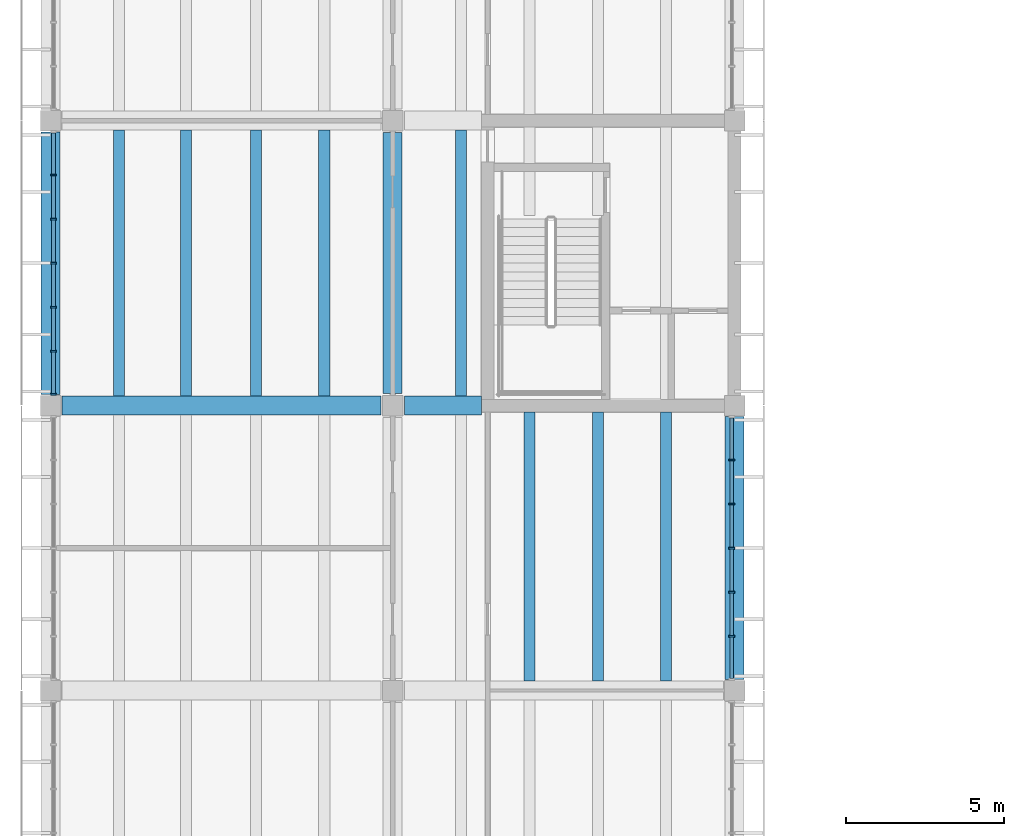
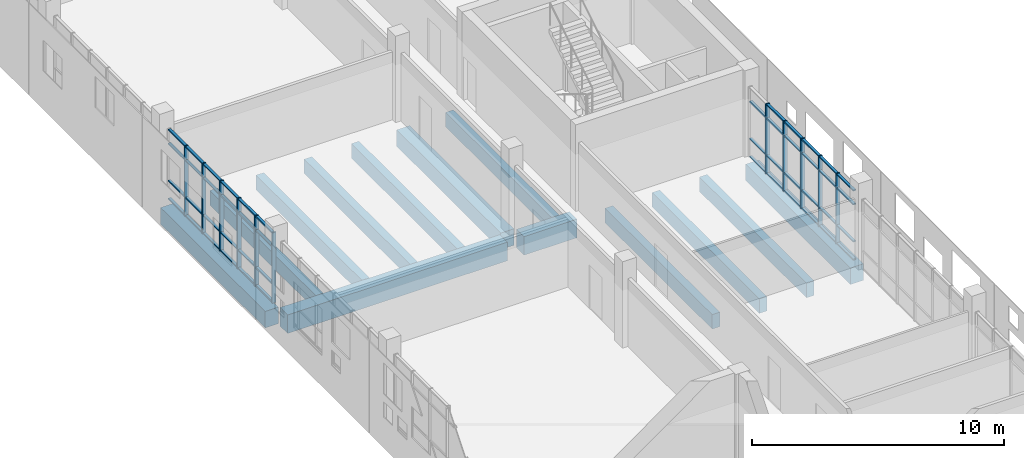
# One storey, part 14 of 92: 58 members, 13 beams, 2 elements without a shape of their own.
"""IFC4 building model written with IfcOpenShell, lengths in metres."""

import ifcopenshell
import ifcopenshell.guid

model = None  # the IFC model being written
_history = None  # IfcOwnerHistory: only IFC2X3 demands one
_inside = {}  # id of a spatial element -> (the spatial element, [elements in it])
_under = {}  # id of a project, library or spatial element -> (it, [spatial elements below it])
_declared = {}  # id of a project -> (the project, [libraries it declares])
_typed = {}  # id of a type object -> (the type object, [elements of that type])
_made_of = {}  # id of a material, layer set ... -> (it, [elements and type objects made of it])


def new_model(schema):
    """Start an empty IFC model of exactly this schema.

    Asked for "IFC4X3", IfcOpenShell would pick the latest addendum, in which some entities
    have other attributes; the version numbers below select the first issue.
    IFC2X3 requires an IfcOwnerHistory on every rooted entity: one is made here for all.
    """
    global model, _history
    if schema == "IFC4X3":
        model = ifcopenshell.file(schema_version=(4, 3, 0, 0))
    else:
        model = ifcopenshell.file(schema=schema)
    _inside.clear()
    _under.clear()
    _declared.clear()
    _typed.clear()
    _made_of.clear()
    _history = None
    if model.schema == "IFC2X3":
        org = make("IfcOrganization", Name="unknown")
        user = make(
            "IfcPersonAndOrganization",
            ThePerson=make("IfcPerson", FamilyName="unknown"),
            TheOrganization=org,
        )
        app = make(
            "IfcApplication",
            ApplicationDeveloper=org,
            Version="unknown",
            ApplicationFullName="unknown",
            ApplicationIdentifier="unknown",
        )
        _history = make(
            "IfcOwnerHistory",
            OwningUser=user,
            OwningApplication=app,
            ChangeAction="ADDED",
            CreationDate=0,
        )
    return model


def make(cls, **values):
    """One entity of the class cls with the attributes given. An attribute that is None is left unset."""
    return model.create_entity(
        cls, **{name: value for name, value in values.items() if value is not None}
    )


def rooted(cls, **values):
    """An entity with a GlobalId (a new one), such as an element, a storey or a relation."""
    return make(cls, GlobalId=ifcopenshell.guid.new(), OwnerHistory=_history, **values)


def si_unit(unit_type, name, prefix=None):
    """IfcSIUnit, for example si_unit("LENGTHUNIT", "METRE", prefix="MILLI")."""
    return make("IfcSIUnit", UnitType=unit_type, Prefix=prefix, Name=name)


def assignment(units):
    """IfcUnitAssignment: the units of a project."""
    return None if units is None else make("IfcUnitAssignment", Units=units)


def point(xyz):
    """IfcCartesianPoint."""
    return None if xyz is None else make("IfcCartesianPoint", Coordinates=xyz)


def direction(xyz):
    """IfcDirection."""
    return None if xyz is None else make("IfcDirection", DirectionRatios=xyz)


def frame(location, z_axis=None, x_axis=None):
    """IfcAxis2Placement3D, a coordinate frame: its origin and axes. An axis left out is left unset."""
    return make(
        "IfcAxis2Placement3D",
        Location=point(location),
        Axis=direction(z_axis),
        RefDirection=direction(x_axis),
    )


def frame_2d(location, x_axis=None):
    """IfcAxis2Placement2D, a coordinate frame in the plane: its origin and x axis."""
    return make(
        "IfcAxis2Placement2D", Location=point(location), RefDirection=direction(x_axis)
    )


def origin():
    """The frame at (0, 0, 0) with its axes left unset."""
    return frame((0.0, 0.0, 0.0))


def origin_2d():
    """The frame at (0, 0) in the plane with its x axis left unset."""
    return frame_2d((0.0, 0.0))


def place(relative_to, where):
    """IfcLocalPlacement: puts the frame where relative to a parent placement (None: the world)."""
    return make(
        "IfcLocalPlacement", PlacementRelTo=relative_to, RelativePlacement=where
    )


def context(
    kind, dimensions, precision=None, world=None, true_north=None, identifier=None
):
    """IfcGeometricRepresentationContext, for example the 3D "Model" context."""
    return make(
        "IfcGeometricRepresentationContext",
        ContextIdentifier=identifier,
        ContextType=kind,
        CoordinateSpaceDimension=dimensions,
        Precision=precision,
        WorldCoordinateSystem=world,
        TrueNorth=true_north,
    )


def subcontext(parent, identifier, kind, view, scale=None):
    """IfcGeometricRepresentationSubContext, for example "Body" below "Model"."""
    return make(
        "IfcGeometricRepresentationSubContext",
        ContextIdentifier=identifier,
        ContextType=kind,
        ParentContext=parent,
        TargetScale=scale,
        TargetView=view,
    )


def project(units=None, contexts=None):
    """IfcProject with its units and contexts."""
    return rooted(
        "IfcProject",
        Name="project",
        RepresentationContexts=contexts,
        UnitsInContext=assignment(units),
    )


def spatial(cls, under=None, at=None, **own):
    """A site, building, storey or space (cls), placed at a placement, below another one or the project."""
    s = rooted(cls, ObjectPlacement=at, **own)
    if under is not None:
        _under.setdefault(under.id(), (under, []))[1].append(s)
    return s


def profile(cls, at=None, kind="AREA", **sizes):
    """A parametric profile (cls). Its sizes go by their IFC names, for example OverallWidth=200.0."""
    return make(cls, ProfileType=kind, Position=at, **sizes)


def rectangle(**sizes):
    """IfcRectangleProfileDef."""
    return profile("IfcRectangleProfileDef", **sizes)


def extrude(swept, where, along, depth):
    """IfcExtrudedAreaSolid: the profile swept, set in the frame where, extruded along a direction by depth."""
    return make(
        "IfcExtrudedAreaSolid",
        SweptArea=swept,
        Position=where,
        ExtrudedDirection=direction(along),
        Depth=depth,
    )


def shape(context_of_items, identifier, shape_type, items):
    """IfcShapeRepresentation: the items that make up one representation, for example the "Body"."""
    return make(
        "IfcShapeRepresentation",
        ContextOfItems=context_of_items,
        RepresentationIdentifier=identifier,
        RepresentationType=shape_type,
        Items=items,
    )


def material(Name=None, Category=None):
    """IfcMaterial."""
    return make("IfcMaterial", Name=Name, Category=Category)


def material_profile(
    of_material, cross_section, Name=None, Category=None, Priority=None
):
    """IfcMaterialProfile: a cross section and its material."""
    return make(
        "IfcMaterialProfile",
        Name=Name,
        Material=of_material,
        Profile=cross_section,
        Priority=Priority,
        Category=Category,
    )


def profile_set(profiles, Name=None, composite=None):
    """IfcMaterialProfileSet."""
    return make(
        "IfcMaterialProfileSet",
        Name=Name,
        MaterialProfiles=profiles,
        CompositeProfile=composite,
    )


def made_of(thing, what):
    """Note that an element or type object is made of a material, layer set ...; save() writes the relation."""
    if what is not None:
        _made_of.setdefault(what.id(), (what, []))[1].append(thing)
    return thing


def type_object(cls, material=None, **own):
    """A type object (cls), such as IfcWallType, which elements share."""
    return made_of(rooted(cls, **own), material)


def element(
    cls,
    number,
    at=None,
    inside=None,
    cuts=None,
    type_object=None,
    material=None,
    context=None,
    identifier="Body",
    shape_type=None,
    held_by="IfcProductDefinitionShape",
    body=None,
    shapes=None,
    **own,
):
    """One element of the class cls, such as IfcWall. Its Tag is "e" and its number.

    at: its placement. inside: the storey or other place that contains it. cuts: it is an
    opening in that element (IfcRelVoidsElement). A single representation is given by context,
    identifier, shape_type and body (its items); several are given by shapes. held_by: the class
    of the entity that holds the representations. save() writes the other relations.
    """
    e = rooted(cls, Tag="e%d" % number, ObjectPlacement=at, **own)
    if body is not None:
        shapes = [shape(context, identifier, shape_type, body)]
    if shapes is not None:
        e.Representation = make(held_by, Representations=shapes)
    if inside is not None:
        _inside.setdefault(inside.id(), (inside, []))[1].append(e)
    if cuts is not None:
        rooted(
            "IfcRelVoidsElement", RelatingBuildingElement=cuts, RelatedOpeningElement=e
        )
    if type_object is not None:
        _typed.setdefault(type_object.id(), (type_object, []))[1].append(e)
    return made_of(e, material)


def aggregate(whole, parts):
    """IfcRelAggregates: a whole, such as a stair, and the parts it consists of."""
    return rooted("IfcRelAggregates", RelatingObject=whole, RelatedObjects=parts)


def save(model, path):
    """Write the relations noted so far, then the file.

    IfcRelAggregates (storeys below a building ...), IfcRelContainedInSpatialStructure (elements
    in a storey), IfcRelDefinesByType, IfcRelAssociatesMaterial and IfcRelDeclares: one each for
    every whole, place, type object, material and project.
    """
    for whole, parts in _under.values():
        aggregate(whole, parts)
    for where, things in _inside.values():
        rooted(
            "IfcRelContainedInSpatialStructure",
            RelatedElements=things,
            RelatingStructure=where,
        )
    for kind, things in _typed.values():
        rooted("IfcRelDefinesByType", RelatedObjects=things, RelatingType=kind)
    for what, things in _made_of.values():
        rooted("IfcRelAssociatesMaterial", RelatedObjects=things, RelatingMaterial=what)
    for by, libraries in _declared.values():
        rooted("IfcRelDeclares", RelatingContext=by, RelatedDefinitions=libraries)
    model.write(path)


model = new_model("IFC4")

# Units and contexts
model_context = context("Model", 3, precision=1e-05, world=origin(), true_north=direction((0.0, 1.0)))
body_context = subcontext(model_context, "Body", "Model", "MODEL_VIEW")
ifc_project = project(units=[si_unit("LENGTHUNIT", "METRE"), si_unit("AREAUNIT", "SQUARE_METRE"), si_unit("VOLUMEUNIT", "CUBIC_METRE"), si_unit("PLANEANGLEUNIT", "RADIAN"), si_unit("MASSUNIT", "GRAM", prefix="KILO")], contexts=[model_context])

# Site, building, storey
site_placement = place(None, origin())
site = spatial("IfcSite", under=ifc_project, at=site_placement, CompositionType="ELEMENT")
building_placement = place(site_placement, origin())
building = spatial("IfcBuilding", under=site, at=building_placement, Name="Merrow Basin Faculty of Sciences", CompositionType="ELEMENT")
storey_placement = place(building_placement, frame((0.0, 0.0, 4.5)))
storey = spatial("IfcBuildingStorey", under=building, at=storey_placement, Name="L01", CompositionType="ELEMENT", Elevation=4.5)

# Curtain wall, members
ifc_material_1 = material(Name="Aluminium alloy 6063", Category="aluminium")
curtain_wall_type = type_object("IfcCurtainWallType", Name="Bar unitised curtain wall 180", PredefinedType="NOTDEFINED", material=ifc_material_1)
curtain_wall_1_placement = place(storey_placement, origin())
curtain_wall_1 = element("IfcCurtainWall", 1, at=curtain_wall_1_placement, inside=storey, type_object=curtain_wall_type, Name="West curtain wall L01 3", PredefinedType="NOTDEFINED")
ifc_material_2 = material(Name="Aluminium alloy 6063", Category="aluminium")
ifc_material_profile_1 = material_profile(ifc_material_2, rectangle(XDim=0.179931640625, YDim=0.06005859375, at=origin_2d()))
ifc_profile_set_1 = profile_set([ifc_material_profile_1], Name="Aluminium alloy 6063")
member_type_1 = type_object("IfcMemberType", Name="Aluminium mullion 60x180", PredefinedType="MULLION", material=ifc_profile_set_1)
member_1_placement = place(storey_placement, frame((0.090087890625, 88.35498046875, 0.0), z_axis=(0.0, 0.0, 1.0), x_axis=(-1.0, 0.0, 0.0)))
member_1 = element("IfcMember", 2, at=member_1_placement, type_object=member_type_1, Name="CW1 mullion 1", PredefinedType="MULLION", context=body_context, shape_type="SweptSolid", body=[
    extrude(rectangle(XDim=0.179931640625, YDim=0.06005859375, at=origin_2d()), origin(), (0.0, 0.0, 1.0), 3.39990234375),
])
member_2_placement = place(storey_placement, frame((0.090087890625, 89.716552734375, 0.0), z_axis=(0.0, 0.0, 1.0), x_axis=(-1.0, 0.0, 0.0)))
member_2 = element("IfcMember", 3, at=member_2_placement, type_object=member_type_1, Name="CW1 mullion 2", PredefinedType="MULLION", context=body_context, shape_type="SweptSolid", body=[
    extrude(rectangle(XDim=0.179931640625, YDim=0.06005859375, at=origin_2d()), origin(), (0.0, 0.0, 1.0), 3.39990234375),
])
member_3_placement = place(storey_placement, frame((0.090087890625, 91.1083984375, 0.0), z_axis=(0.0, 0.0, 1.0), x_axis=(-1.0, 0.0, 0.0)))
member_3 = element("IfcMember", 4, at=member_3_placement, type_object=member_type_1, Name="CW1 mullion 3", PredefinedType="MULLION", context=body_context, shape_type="SweptSolid", body=[
    extrude(rectangle(XDim=0.179931640625, YDim=0.06005859375, at=origin_2d()), origin(), (0.0, 0.0, 1.0), 3.39990234375),
])
member_4_placement = place(storey_placement, frame((0.090087890625, 92.5, 0.0), z_axis=(0.0, 0.0, 1.0), x_axis=(-1.0, 0.0, 0.0)))
member_4 = element("IfcMember", 5, at=member_4_placement, type_object=member_type_1, Name="CW1 mullion 4", PredefinedType="MULLION", context=body_context, shape_type="SweptSolid", body=[
    extrude(rectangle(XDim=0.179931640625, YDim=0.06005859375, at=origin_2d()), origin(), (0.0, 0.0, 1.0), 3.39990234375),
])
member_5_placement = place(storey_placement, frame((0.090087890625, 93.8916015625, 0.0), z_axis=(0.0, 0.0, 1.0), x_axis=(-1.0, 0.0, 0.0)))
member_5 = element("IfcMember", 6, at=member_5_placement, type_object=member_type_1, Name="CW1 mullion 5", PredefinedType="MULLION", context=body_context, shape_type="SweptSolid", body=[
    extrude(rectangle(XDim=0.179931640625, YDim=0.06005859375, at=origin_2d()), origin(), (0.0, 0.0, 1.0), 3.39990234375),
])
member_6_placement = place(storey_placement, frame((0.090087890625, 95.283447265625, 0.0), z_axis=(0.0, 0.0, 1.0), x_axis=(-1.0, 0.0, 0.0)))
member_6 = element("IfcMember", 7, at=member_6_placement, type_object=member_type_1, Name="CW1 mullion 6", PredefinedType="MULLION", context=body_context, shape_type="SweptSolid", body=[
    extrude(rectangle(XDim=0.179931640625, YDim=0.06005859375, at=origin_2d()), origin(), (0.0, 0.0, 1.0), 3.39990234375),
])

curtain_wall_2_placement = place(storey_placement, origin())
curtain_wall_2 = element("IfcCurtainWall", 8, at=curtain_wall_2_placement, inside=storey, type_object=curtain_wall_type, Name="East curtain wall L01 3", PredefinedType="NOTDEFINED")
member_7_placement = place(storey_placement, frame((21.510009765625, 80.716552734375, 0.0), z_axis=(0.0, 0.0, 1.0), x_axis=(-1.0, 0.0, 0.0)))
member_7 = element("IfcMember", 9, at=member_7_placement, type_object=member_type_1, Name="CW1 mullion 2", PredefinedType="MULLION", context=body_context, shape_type="SweptSolid", body=[
    extrude(rectangle(XDim=0.179931640625, YDim=0.06005859375, at=origin_2d()), origin(), (0.0, 0.0, 1.0), 3.39990234375),
])
member_8_placement = place(storey_placement, frame((21.510009765625, 82.1083984375, 0.0), z_axis=(0.0, 0.0, 1.0), x_axis=(-1.0, 0.0, 0.0)))
member_8 = element("IfcMember", 10, at=member_8_placement, type_object=member_type_1, Name="CW1 mullion 3", PredefinedType="MULLION", context=body_context, shape_type="SweptSolid", body=[
    extrude(rectangle(XDim=0.179931640625, YDim=0.06005859375, at=origin_2d()), origin(), (0.0, 0.0, 1.0), 3.39990234375),
])
member_9_placement = place(storey_placement, frame((21.510009765625, 83.5, 0.0), z_axis=(0.0, 0.0, 1.0), x_axis=(-1.0, 0.0, 0.0)))
member_9 = element("IfcMember", 11, at=member_9_placement, type_object=member_type_1, Name="CW1 mullion 4", PredefinedType="MULLION", context=body_context, shape_type="SweptSolid", body=[
    extrude(rectangle(XDim=0.179931640625, YDim=0.06005859375, at=origin_2d()), origin(), (0.0, 0.0, 1.0), 3.39990234375),
])
member_10_placement = place(storey_placement, frame((21.510009765625, 84.8916015625, 0.0), z_axis=(0.0, 0.0, 1.0), x_axis=(-1.0, 0.0, 0.0)))
member_10 = element("IfcMember", 12, at=member_10_placement, type_object=member_type_1, Name="CW1 mullion 5", PredefinedType="MULLION", context=body_context, shape_type="SweptSolid", body=[
    extrude(rectangle(XDim=0.179931640625, YDim=0.06005859375, at=origin_2d()), origin(), (0.0, 0.0, 1.0), 3.39990234375),
])
member_11_placement = place(storey_placement, frame((21.510009765625, 86.283447265625, 0.0), z_axis=(0.0, 0.0, 1.0), x_axis=(-1.0, 0.0, 0.0)))
member_11 = element("IfcMember", 13, at=member_11_placement, type_object=member_type_1, Name="CW1 mullion 6", PredefinedType="MULLION", context=body_context, shape_type="SweptSolid", body=[
    extrude(rectangle(XDim=0.179931640625, YDim=0.06005859375, at=origin_2d()), origin(), (0.0, 0.0, 1.0), 3.39990234375),
])

# Member
ifc_material_3 = material(Name="Aluminium alloy 6063", Category="aluminium")
ifc_material_profile_2 = material_profile(ifc_material_3, rectangle(XDim=0.1201171875, YDim=0.06005859375, at=origin_2d()))
ifc_profile_set_2 = profile_set([ifc_material_profile_2], Name="Aluminium alloy 6063")
member_type_2 = type_object("IfcMemberType", Name="Aluminium transom 60x120", PredefinedType="USERDEFINED", material=ifc_profile_set_2)
member_12_placement = place(storey_placement, frame((0.090087890625, 88.385009765625, 0.030029296875), z_axis=(0.0, 1.0, 0.0), x_axis=(-1.0, 0.0, 0.0)))
member_12 = element("IfcMember", 14, at=member_12_placement, type_object=member_type_2, Name="CW1 transom 1.1", ObjectType="TRANSOM", PredefinedType="USERDEFINED", context=body_context, shape_type="SweptSolid", body=[
    extrude(rectangle(XDim=0.1201171875, YDim=0.06005859375, at=origin_2d()), origin(), (0.0, 0.0, 1.0), 1.3017578125),
])

member_13_placement = place(storey_placement, frame((0.090087890625, 88.385009765625, 0.89990234375), z_axis=(0.0, 1.0, 0.0), x_axis=(-1.0, 0.0, 0.0)))
member_13 = element("IfcMember", 15, at=member_13_placement, type_object=member_type_2, Name="CW1 transom 1.2", ObjectType="TRANSOM", PredefinedType="USERDEFINED", context=body_context, shape_type="SweptSolid", body=[
    extrude(rectangle(XDim=0.1201171875, YDim=0.06005859375, at=origin_2d()), origin(), (0.0, 0.0, 1.0), 1.3017578125),
])

member_14_placement = place(storey_placement, frame((0.090087890625, 88.385009765625, 2.699951171875), z_axis=(0.0, 1.0, 0.0), x_axis=(-1.0, 0.0, 0.0)))
member_14 = element("IfcMember", 16, at=member_14_placement, type_object=member_type_2, Name="CW1 transom 1.3", ObjectType="TRANSOM", PredefinedType="USERDEFINED", context=body_context, shape_type="SweptSolid", body=[
    extrude(rectangle(XDim=0.1201171875, YDim=0.06005859375, at=origin_2d()), origin(), (0.0, 0.0, 1.0), 1.3017578125),
])

member_15_placement = place(storey_placement, frame((0.090087890625, 88.385009765625, 3.3701171875), z_axis=(0.0, 1.0, 0.0), x_axis=(-1.0, 0.0, 0.0)))
member_15 = element("IfcMember", 17, at=member_15_placement, type_object=member_type_2, Name="CW1 transom 1.4", ObjectType="TRANSOM", PredefinedType="USERDEFINED", context=body_context, shape_type="SweptSolid", body=[
    extrude(rectangle(XDim=0.1201171875, YDim=0.06005859375, at=origin_2d()), origin(), (0.0, 0.0, 1.0), 1.3017578125),
])

member_16_placement = place(storey_placement, frame((0.090087890625, 89.74658203125, 0.030029296875), z_axis=(0.0, 1.0, 0.0), x_axis=(-1.0, 0.0, 0.0)))
member_16 = element("IfcMember", 18, at=member_16_placement, type_object=member_type_2, Name="CW1 transom 2.1", ObjectType="TRANSOM", PredefinedType="USERDEFINED", context=body_context, shape_type="SweptSolid", body=[
    extrude(rectangle(XDim=0.1201171875, YDim=0.06005859375, at=origin_2d()), origin(), (0.0, 0.0, 1.0), 1.331787109375),
])

member_17_placement = place(storey_placement, frame((0.090087890625, 89.74658203125, 0.89990234375), z_axis=(0.0, 1.0, 0.0), x_axis=(-1.0, 0.0, 0.0)))
member_17 = element("IfcMember", 19, at=member_17_placement, type_object=member_type_2, Name="CW1 transom 2.2", ObjectType="TRANSOM", PredefinedType="USERDEFINED", context=body_context, shape_type="SweptSolid", body=[
    extrude(rectangle(XDim=0.1201171875, YDim=0.06005859375, at=origin_2d()), origin(), (0.0, 0.0, 1.0), 1.331787109375),
])

member_18_placement = place(storey_placement, frame((0.090087890625, 89.74658203125, 2.699951171875), z_axis=(0.0, 1.0, 0.0), x_axis=(-1.0, 0.0, 0.0)))
member_18 = element("IfcMember", 20, at=member_18_placement, type_object=member_type_2, Name="CW1 transom 2.3", ObjectType="TRANSOM", PredefinedType="USERDEFINED", context=body_context, shape_type="SweptSolid", body=[
    extrude(rectangle(XDim=0.1201171875, YDim=0.06005859375, at=origin_2d()), origin(), (0.0, 0.0, 1.0), 1.331787109375),
])

member_19_placement = place(storey_placement, frame((0.090087890625, 89.74658203125, 3.3701171875), z_axis=(0.0, 1.0, 0.0), x_axis=(-1.0, 0.0, 0.0)))
member_19 = element("IfcMember", 21, at=member_19_placement, type_object=member_type_2, Name="CW1 transom 2.4", ObjectType="TRANSOM", PredefinedType="USERDEFINED", context=body_context, shape_type="SweptSolid", body=[
    extrude(rectangle(XDim=0.1201171875, YDim=0.06005859375, at=origin_2d()), origin(), (0.0, 0.0, 1.0), 1.331787109375),
])

member_20_placement = place(storey_placement, frame((0.090087890625, 91.138427734375, 0.030029296875), z_axis=(0.0, 1.0, 0.0), x_axis=(-1.0, 0.0, 0.0)))
member_20 = element("IfcMember", 22, at=member_20_placement, type_object=member_type_2, Name="CW1 transom 3.1", ObjectType="TRANSOM", PredefinedType="USERDEFINED", context=body_context, shape_type="SweptSolid", body=[
    extrude(rectangle(XDim=0.1201171875, YDim=0.06005859375, at=origin_2d()), origin(), (0.0, 0.0, 1.0), 1.33154296875),
])

member_21_placement = place(storey_placement, frame((0.090087890625, 91.138427734375, 0.89990234375), z_axis=(0.0, 1.0, 0.0), x_axis=(-1.0, 0.0, 0.0)))
member_21 = element("IfcMember", 23, at=member_21_placement, type_object=member_type_2, Name="CW1 transom 3.2", ObjectType="TRANSOM", PredefinedType="USERDEFINED", context=body_context, shape_type="SweptSolid", body=[
    extrude(rectangle(XDim=0.1201171875, YDim=0.06005859375, at=origin_2d()), origin(), (0.0, 0.0, 1.0), 1.33154296875),
])

member_22_placement = place(storey_placement, frame((0.090087890625, 91.138427734375, 2.699951171875), z_axis=(0.0, 1.0, 0.0), x_axis=(-1.0, 0.0, 0.0)))
member_22 = element("IfcMember", 24, at=member_22_placement, type_object=member_type_2, Name="CW1 transom 3.3", ObjectType="TRANSOM", PredefinedType="USERDEFINED", context=body_context, shape_type="SweptSolid", body=[
    extrude(rectangle(XDim=0.1201171875, YDim=0.06005859375, at=origin_2d()), origin(), (0.0, 0.0, 1.0), 1.33154296875),
])

member_23_placement = place(storey_placement, frame((0.090087890625, 91.138427734375, 3.3701171875), z_axis=(0.0, 1.0, 0.0), x_axis=(-1.0, 0.0, 0.0)))
member_23 = element("IfcMember", 25, at=member_23_placement, type_object=member_type_2, Name="CW1 transom 3.4", ObjectType="TRANSOM", PredefinedType="USERDEFINED", context=body_context, shape_type="SweptSolid", body=[
    extrude(rectangle(XDim=0.1201171875, YDim=0.06005859375, at=origin_2d()), origin(), (0.0, 0.0, 1.0), 1.33154296875),
])

member_24_placement = place(storey_placement, frame((0.090087890625, 92.530029296875, 0.030029296875), z_axis=(0.0, 1.0, 0.0), x_axis=(-1.0, 0.0, 0.0)))
member_24 = element("IfcMember", 26, at=member_24_placement, type_object=member_type_2, Name="CW1 transom 4.1", ObjectType="TRANSOM", PredefinedType="USERDEFINED", context=body_context, shape_type="SweptSolid", body=[
    extrude(rectangle(XDim=0.1201171875, YDim=0.06005859375, at=origin_2d()), origin(), (0.0, 0.0, 1.0), 1.33154296875),
])

member_25_placement = place(storey_placement, frame((0.090087890625, 92.530029296875, 0.89990234375), z_axis=(0.0, 1.0, 0.0), x_axis=(-1.0, 0.0, 0.0)))
member_25 = element("IfcMember", 27, at=member_25_placement, type_object=member_type_2, Name="CW1 transom 4.2", ObjectType="TRANSOM", PredefinedType="USERDEFINED", context=body_context, shape_type="SweptSolid", body=[
    extrude(rectangle(XDim=0.1201171875, YDim=0.06005859375, at=origin_2d()), origin(), (0.0, 0.0, 1.0), 1.33154296875),
])

member_26_placement = place(storey_placement, frame((0.090087890625, 92.530029296875, 2.699951171875), z_axis=(0.0, 1.0, 0.0), x_axis=(-1.0, 0.0, 0.0)))
member_26 = element("IfcMember", 28, at=member_26_placement, type_object=member_type_2, Name="CW1 transom 4.3", ObjectType="TRANSOM", PredefinedType="USERDEFINED", context=body_context, shape_type="SweptSolid", body=[
    extrude(rectangle(XDim=0.1201171875, YDim=0.06005859375, at=origin_2d()), origin(), (0.0, 0.0, 1.0), 1.33154296875),
])

member_27_placement = place(storey_placement, frame((0.090087890625, 92.530029296875, 3.3701171875), z_axis=(0.0, 1.0, 0.0), x_axis=(-1.0, 0.0, 0.0)))
member_27 = element("IfcMember", 29, at=member_27_placement, type_object=member_type_2, Name="CW1 transom 4.4", ObjectType="TRANSOM", PredefinedType="USERDEFINED", context=body_context, shape_type="SweptSolid", body=[
    extrude(rectangle(XDim=0.1201171875, YDim=0.06005859375, at=origin_2d()), origin(), (0.0, 0.0, 1.0), 1.33154296875),
])

member_28_placement = place(storey_placement, frame((0.090087890625, 93.921630859375, 0.030029296875), z_axis=(0.0, 1.0, 0.0), x_axis=(-1.0, 0.0, 0.0)))
member_28 = element("IfcMember", 30, at=member_28_placement, type_object=member_type_2, Name="CW1 transom 5.1", ObjectType="TRANSOM", PredefinedType="USERDEFINED", context=body_context, shape_type="SweptSolid", body=[
    extrude(rectangle(XDim=0.1201171875, YDim=0.06005859375, at=origin_2d()), origin(), (0.0, 0.0, 1.0), 1.331787109375),
])

member_29_placement = place(storey_placement, frame((0.090087890625, 93.921630859375, 0.89990234375), z_axis=(0.0, 1.0, 0.0), x_axis=(-1.0, 0.0, 0.0)))
member_29 = element("IfcMember", 31, at=member_29_placement, type_object=member_type_2, Name="CW1 transom 5.2", ObjectType="TRANSOM", PredefinedType="USERDEFINED", context=body_context, shape_type="SweptSolid", body=[
    extrude(rectangle(XDim=0.1201171875, YDim=0.06005859375, at=origin_2d()), origin(), (0.0, 0.0, 1.0), 1.331787109375),
])

member_30_placement = place(storey_placement, frame((0.090087890625, 93.921630859375, 2.699951171875), z_axis=(0.0, 1.0, 0.0), x_axis=(-1.0, 0.0, 0.0)))
member_30 = element("IfcMember", 32, at=member_30_placement, type_object=member_type_2, Name="CW1 transom 5.3", ObjectType="TRANSOM", PredefinedType="USERDEFINED", context=body_context, shape_type="SweptSolid", body=[
    extrude(rectangle(XDim=0.1201171875, YDim=0.06005859375, at=origin_2d()), origin(), (0.0, 0.0, 1.0), 1.331787109375),
])

member_31_placement = place(storey_placement, frame((0.090087890625, 93.921630859375, 3.3701171875), z_axis=(0.0, 1.0, 0.0), x_axis=(-1.0, 0.0, 0.0)))
member_31 = element("IfcMember", 33, at=member_31_placement, type_object=member_type_2, Name="CW1 transom 5.4", ObjectType="TRANSOM", PredefinedType="USERDEFINED", context=body_context, shape_type="SweptSolid", body=[
    extrude(rectangle(XDim=0.1201171875, YDim=0.06005859375, at=origin_2d()), origin(), (0.0, 0.0, 1.0), 1.331787109375),
])

member_32_placement = place(storey_placement, frame((0.090087890625, 95.313232421875, 0.030029296875), z_axis=(0.0, 1.0, 0.0), x_axis=(-1.0, 0.0, 0.0)))
member_32 = element("IfcMember", 34, at=member_32_placement, type_object=member_type_2, Name="CW1 transom 6.1", ObjectType="TRANSOM", PredefinedType="USERDEFINED", context=body_context, shape_type="SweptSolid", body=[
    extrude(rectangle(XDim=0.1201171875, YDim=0.06005859375, at=origin_2d()), origin(), (0.0, 0.0, 1.0), 1.3017578125),
])

member_33_placement = place(storey_placement, frame((0.090087890625, 95.313232421875, 0.89990234375), z_axis=(0.0, 1.0, 0.0), x_axis=(-1.0, 0.0, 0.0)))
member_33 = element("IfcMember", 35, at=member_33_placement, type_object=member_type_2, Name="CW1 transom 6.2", ObjectType="TRANSOM", PredefinedType="USERDEFINED", context=body_context, shape_type="SweptSolid", body=[
    extrude(rectangle(XDim=0.1201171875, YDim=0.06005859375, at=origin_2d()), origin(), (0.0, 0.0, 1.0), 1.3017578125),
])

member_34_placement = place(storey_placement, frame((0.090087890625, 95.313232421875, 2.699951171875), z_axis=(0.0, 1.0, 0.0), x_axis=(-1.0, 0.0, 0.0)))
member_34 = element("IfcMember", 36, at=member_34_placement, type_object=member_type_2, Name="CW1 transom 6.3", ObjectType="TRANSOM", PredefinedType="USERDEFINED", context=body_context, shape_type="SweptSolid", body=[
    extrude(rectangle(XDim=0.1201171875, YDim=0.06005859375, at=origin_2d()), origin(), (0.0, 0.0, 1.0), 1.3017578125),
])

member_35_placement = place(storey_placement, frame((0.090087890625, 95.313232421875, 3.3701171875), z_axis=(0.0, 1.0, 0.0), x_axis=(-1.0, 0.0, 0.0)))
member_35 = element("IfcMember", 37, at=member_35_placement, type_object=member_type_2, Name="CW1 transom 6.4", ObjectType="TRANSOM", PredefinedType="USERDEFINED", context=body_context, shape_type="SweptSolid", body=[
    extrude(rectangle(XDim=0.1201171875, YDim=0.06005859375, at=origin_2d()), origin(), (0.0, 0.0, 1.0), 1.3017578125),
])

aggregate(curtain_wall_1, [member_1, member_2, member_3, member_4, member_5, member_6, member_12, member_13, member_14, member_15, member_16, member_17, member_18, member_19, member_20, member_21, member_22, member_23, member_24, member_25, member_26, member_27, member_28, member_29, member_30, member_31, member_32, member_33, member_34, member_35])

member_36_placement = place(storey_placement, frame((21.510009765625, 79.385009765625, 0.030029296875), z_axis=(0.0, 1.0, 0.0), x_axis=(-1.0, 0.0, 0.0)))
member_36 = element("IfcMember", 38, at=member_36_placement, type_object=member_type_2, Name="CW1 transom 1.1", ObjectType="TRANSOM", PredefinedType="USERDEFINED", context=body_context, shape_type="SweptSolid", body=[
    extrude(rectangle(XDim=0.1201171875, YDim=0.06005859375, at=origin_2d()), origin(), (0.0, 0.0, 1.0), 1.3017578125),
])

member_37_placement = place(storey_placement, frame((21.510009765625, 79.385009765625, 0.89990234375), z_axis=(0.0, 1.0, 0.0), x_axis=(-1.0, 0.0, 0.0)))
member_37 = element("IfcMember", 39, at=member_37_placement, type_object=member_type_2, Name="CW1 transom 1.2", ObjectType="TRANSOM", PredefinedType="USERDEFINED", context=body_context, shape_type="SweptSolid", body=[
    extrude(rectangle(XDim=0.1201171875, YDim=0.06005859375, at=origin_2d()), origin(), (0.0, 0.0, 1.0), 1.3017578125),
])

member_38_placement = place(storey_placement, frame((21.510009765625, 79.385009765625, 2.699951171875), z_axis=(0.0, 1.0, 0.0), x_axis=(-1.0, 0.0, 0.0)))
member_38 = element("IfcMember", 40, at=member_38_placement, type_object=member_type_2, Name="CW1 transom 1.3", ObjectType="TRANSOM", PredefinedType="USERDEFINED", context=body_context, shape_type="SweptSolid", body=[
    extrude(rectangle(XDim=0.1201171875, YDim=0.06005859375, at=origin_2d()), origin(), (0.0, 0.0, 1.0), 1.3017578125),
])

member_39_placement = place(storey_placement, frame((21.510009765625, 79.385009765625, 3.3701171875), z_axis=(0.0, 1.0, 0.0), x_axis=(-1.0, 0.0, 0.0)))
member_39 = element("IfcMember", 41, at=member_39_placement, type_object=member_type_2, Name="CW1 transom 1.4", ObjectType="TRANSOM", PredefinedType="USERDEFINED", context=body_context, shape_type="SweptSolid", body=[
    extrude(rectangle(XDim=0.1201171875, YDim=0.06005859375, at=origin_2d()), origin(), (0.0, 0.0, 1.0), 1.3017578125),
])

member_40_placement = place(storey_placement, frame((21.510009765625, 80.74658203125, 0.030029296875), z_axis=(0.0, 1.0, 0.0), x_axis=(-1.0, 0.0, 0.0)))
member_40 = element("IfcMember", 42, at=member_40_placement, type_object=member_type_2, Name="CW1 transom 2.1", ObjectType="TRANSOM", PredefinedType="USERDEFINED", context=body_context, shape_type="SweptSolid", body=[
    extrude(rectangle(XDim=0.1201171875, YDim=0.06005859375, at=origin_2d()), origin(), (0.0, 0.0, 1.0), 1.331787109375),
])

member_41_placement = place(storey_placement, frame((21.510009765625, 80.74658203125, 0.89990234375), z_axis=(0.0, 1.0, 0.0), x_axis=(-1.0, 0.0, 0.0)))
member_41 = element("IfcMember", 43, at=member_41_placement, type_object=member_type_2, Name="CW1 transom 2.2", ObjectType="TRANSOM", PredefinedType="USERDEFINED", context=body_context, shape_type="SweptSolid", body=[
    extrude(rectangle(XDim=0.1201171875, YDim=0.06005859375, at=origin_2d()), origin(), (0.0, 0.0, 1.0), 1.331787109375),
])

member_42_placement = place(storey_placement, frame((21.510009765625, 80.74658203125, 2.699951171875), z_axis=(0.0, 1.0, 0.0), x_axis=(-1.0, 0.0, 0.0)))
member_42 = element("IfcMember", 44, at=member_42_placement, type_object=member_type_2, Name="CW1 transom 2.3", ObjectType="TRANSOM", PredefinedType="USERDEFINED", context=body_context, shape_type="SweptSolid", body=[
    extrude(rectangle(XDim=0.1201171875, YDim=0.06005859375, at=origin_2d()), origin(), (0.0, 0.0, 1.0), 1.331787109375),
])

member_43_placement = place(storey_placement, frame((21.510009765625, 80.74658203125, 3.3701171875), z_axis=(0.0, 1.0, 0.0), x_axis=(-1.0, 0.0, 0.0)))
member_43 = element("IfcMember", 45, at=member_43_placement, type_object=member_type_2, Name="CW1 transom 2.4", ObjectType="TRANSOM", PredefinedType="USERDEFINED", context=body_context, shape_type="SweptSolid", body=[
    extrude(rectangle(XDim=0.1201171875, YDim=0.06005859375, at=origin_2d()), origin(), (0.0, 0.0, 1.0), 1.331787109375),
])

member_44_placement = place(storey_placement, frame((21.510009765625, 82.138427734375, 0.030029296875), z_axis=(0.0, 1.0, 0.0), x_axis=(-1.0, 0.0, 0.0)))
member_44 = element("IfcMember", 46, at=member_44_placement, type_object=member_type_2, Name="CW1 transom 3.1", ObjectType="TRANSOM", PredefinedType="USERDEFINED", context=body_context, shape_type="SweptSolid", body=[
    extrude(rectangle(XDim=0.1201171875, YDim=0.06005859375, at=origin_2d()), origin(), (0.0, 0.0, 1.0), 1.33154296875),
])

member_45_placement = place(storey_placement, frame((21.510009765625, 82.138427734375, 0.89990234375), z_axis=(0.0, 1.0, 0.0), x_axis=(-1.0, 0.0, 0.0)))
member_45 = element("IfcMember", 47, at=member_45_placement, type_object=member_type_2, Name="CW1 transom 3.2", ObjectType="TRANSOM", PredefinedType="USERDEFINED", context=body_context, shape_type="SweptSolid", body=[
    extrude(rectangle(XDim=0.1201171875, YDim=0.06005859375, at=origin_2d()), origin(), (0.0, 0.0, 1.0), 1.33154296875),
])

member_46_placement = place(storey_placement, frame((21.510009765625, 82.138427734375, 2.699951171875), z_axis=(0.0, 1.0, 0.0), x_axis=(-1.0, 0.0, 0.0)))
member_46 = element("IfcMember", 48, at=member_46_placement, type_object=member_type_2, Name="CW1 transom 3.3", ObjectType="TRANSOM", PredefinedType="USERDEFINED", context=body_context, shape_type="SweptSolid", body=[
    extrude(rectangle(XDim=0.1201171875, YDim=0.06005859375, at=origin_2d()), origin(), (0.0, 0.0, 1.0), 1.33154296875),
])

member_47_placement = place(storey_placement, frame((21.510009765625, 82.138427734375, 3.3701171875), z_axis=(0.0, 1.0, 0.0), x_axis=(-1.0, 0.0, 0.0)))
member_47 = element("IfcMember", 49, at=member_47_placement, type_object=member_type_2, Name="CW1 transom 3.4", ObjectType="TRANSOM", PredefinedType="USERDEFINED", context=body_context, shape_type="SweptSolid", body=[
    extrude(rectangle(XDim=0.1201171875, YDim=0.06005859375, at=origin_2d()), origin(), (0.0, 0.0, 1.0), 1.33154296875),
])

member_48_placement = place(storey_placement, frame((21.510009765625, 83.530029296875, 0.030029296875), z_axis=(0.0, 1.0, 0.0), x_axis=(-1.0, 0.0, 0.0)))
member_48 = element("IfcMember", 50, at=member_48_placement, type_object=member_type_2, Name="CW1 transom 4.1", ObjectType="TRANSOM", PredefinedType="USERDEFINED", context=body_context, shape_type="SweptSolid", body=[
    extrude(rectangle(XDim=0.1201171875, YDim=0.06005859375, at=origin_2d()), origin(), (0.0, 0.0, 1.0), 1.33154296875),
])

member_49_placement = place(storey_placement, frame((21.510009765625, 83.530029296875, 0.89990234375), z_axis=(0.0, 1.0, 0.0), x_axis=(-1.0, 0.0, 0.0)))
member_49 = element("IfcMember", 51, at=member_49_placement, type_object=member_type_2, Name="CW1 transom 4.2", ObjectType="TRANSOM", PredefinedType="USERDEFINED", context=body_context, shape_type="SweptSolid", body=[
    extrude(rectangle(XDim=0.1201171875, YDim=0.06005859375, at=origin_2d()), origin(), (0.0, 0.0, 1.0), 1.33154296875),
])

member_50_placement = place(storey_placement, frame((21.510009765625, 83.530029296875, 2.699951171875), z_axis=(0.0, 1.0, 0.0), x_axis=(-1.0, 0.0, 0.0)))
member_50 = element("IfcMember", 52, at=member_50_placement, type_object=member_type_2, Name="CW1 transom 4.3", ObjectType="TRANSOM", PredefinedType="USERDEFINED", context=body_context, shape_type="SweptSolid", body=[
    extrude(rectangle(XDim=0.1201171875, YDim=0.06005859375, at=origin_2d()), origin(), (0.0, 0.0, 1.0), 1.33154296875),
])

member_51_placement = place(storey_placement, frame((21.510009765625, 83.530029296875, 3.3701171875), z_axis=(0.0, 1.0, 0.0), x_axis=(-1.0, 0.0, 0.0)))
member_51 = element("IfcMember", 53, at=member_51_placement, type_object=member_type_2, Name="CW1 transom 4.4", ObjectType="TRANSOM", PredefinedType="USERDEFINED", context=body_context, shape_type="SweptSolid", body=[
    extrude(rectangle(XDim=0.1201171875, YDim=0.06005859375, at=origin_2d()), origin(), (0.0, 0.0, 1.0), 1.33154296875),
])

member_52_placement = place(storey_placement, frame((21.510009765625, 84.921630859375, 0.030029296875), z_axis=(0.0, 1.0, 0.0), x_axis=(-1.0, 0.0, 0.0)))
member_52 = element("IfcMember", 54, at=member_52_placement, type_object=member_type_2, Name="CW1 transom 5.1", ObjectType="TRANSOM", PredefinedType="USERDEFINED", context=body_context, shape_type="SweptSolid", body=[
    extrude(rectangle(XDim=0.1201171875, YDim=0.06005859375, at=origin_2d()), origin(), (0.0, 0.0, 1.0), 1.331787109375),
])

member_53_placement = place(storey_placement, frame((21.510009765625, 84.921630859375, 0.89990234375), z_axis=(0.0, 1.0, 0.0), x_axis=(-1.0, 0.0, 0.0)))
member_53 = element("IfcMember", 55, at=member_53_placement, type_object=member_type_2, Name="CW1 transom 5.2", ObjectType="TRANSOM", PredefinedType="USERDEFINED", context=body_context, shape_type="SweptSolid", body=[
    extrude(rectangle(XDim=0.1201171875, YDim=0.06005859375, at=origin_2d()), origin(), (0.0, 0.0, 1.0), 1.331787109375),
])

member_54_placement = place(storey_placement, frame((21.510009765625, 84.921630859375, 2.699951171875), z_axis=(0.0, 1.0, 0.0), x_axis=(-1.0, 0.0, 0.0)))
member_54 = element("IfcMember", 56, at=member_54_placement, type_object=member_type_2, Name="CW1 transom 5.3", ObjectType="TRANSOM", PredefinedType="USERDEFINED", context=body_context, shape_type="SweptSolid", body=[
    extrude(rectangle(XDim=0.1201171875, YDim=0.06005859375, at=origin_2d()), origin(), (0.0, 0.0, 1.0), 1.331787109375),
])

member_55_placement = place(storey_placement, frame((21.510009765625, 84.921630859375, 3.3701171875), z_axis=(0.0, 1.0, 0.0), x_axis=(-1.0, 0.0, 0.0)))
member_55 = element("IfcMember", 57, at=member_55_placement, type_object=member_type_2, Name="CW1 transom 5.4", ObjectType="TRANSOM", PredefinedType="USERDEFINED", context=body_context, shape_type="SweptSolid", body=[
    extrude(rectangle(XDim=0.1201171875, YDim=0.06005859375, at=origin_2d()), origin(), (0.0, 0.0, 1.0), 1.331787109375),
])

member_56_placement = place(storey_placement, frame((21.510009765625, 86.313232421875, 0.030029296875), z_axis=(0.0, 1.0, 0.0), x_axis=(-1.0, 0.0, 0.0)))
member_56 = element("IfcMember", 58, at=member_56_placement, type_object=member_type_2, Name="CW1 transom 6.1", ObjectType="TRANSOM", PredefinedType="USERDEFINED", context=body_context, shape_type="SweptSolid", body=[
    extrude(rectangle(XDim=0.1201171875, YDim=0.06005859375, at=origin_2d()), origin(), (0.0, 0.0, 1.0), 1.3017578125),
])

member_57_placement = place(storey_placement, frame((21.510009765625, 86.313232421875, 0.89990234375), z_axis=(0.0, 1.0, 0.0), x_axis=(-1.0, 0.0, 0.0)))
member_57 = element("IfcMember", 59, at=member_57_placement, type_object=member_type_2, Name="CW1 transom 6.2", ObjectType="TRANSOM", PredefinedType="USERDEFINED", context=body_context, shape_type="SweptSolid", body=[
    extrude(rectangle(XDim=0.1201171875, YDim=0.06005859375, at=origin_2d()), origin(), (0.0, 0.0, 1.0), 1.3017578125),
])

member_58_placement = place(storey_placement, frame((21.510009765625, 86.313232421875, 2.699951171875), z_axis=(0.0, 1.0, 0.0), x_axis=(-1.0, 0.0, 0.0)))
member_58 = element("IfcMember", 60, at=member_58_placement, type_object=member_type_2, Name="CW1 transom 6.3", ObjectType="TRANSOM", PredefinedType="USERDEFINED", context=body_context, shape_type="SweptSolid", body=[
    extrude(rectangle(XDim=0.1201171875, YDim=0.06005859375, at=origin_2d()), origin(), (0.0, 0.0, 1.0), 1.3017578125),
])

aggregate(curtain_wall_2, [member_7, member_8, member_9, member_10, member_11, member_36, member_37, member_38, member_39, member_40, member_41, member_42, member_43, member_44, member_45, member_46, member_47, member_48, member_49, member_50, member_51, member_52, member_53, member_54, member_55, member_56, member_57, member_58])

# Beams
ifc_material_4 = material(Name="Concrete C40/50", Category="concrete")
ifc_material_profile_3 = material_profile(ifc_material_4, rectangle(XDim=0.60009765625, YDim=0.800048828125, at=origin_2d()))
ifc_profile_set_3 = profile_set([ifc_material_profile_3], Name="Concrete C40/50")
beam_type_1 = type_object("IfcBeamType", Name="Beam RC600x800 C40/50", PredefinedType="BEAM", material=ifc_profile_set_3)
beam_1_placement = place(storey_placement, frame((0.0, 88.35009765625, -0.699951171875), z_axis=(0.0, 1.0, 0.0), x_axis=(-1.0, 0.0, 0.0)))
element("IfcBeam", 61, at=beam_1_placement, inside=storey, type_object=beam_type_1, Name="B2 L01 017", PredefinedType="BEAM", context=body_context, shape_type="SweptSolid", body=[
    extrude(rectangle(XDim=0.60009765625, YDim=0.800048828125, at=origin_2d()), origin(), (0.0, 0.0, 1.0), 8.2998046875),
])
beam_2_placement = place(storey_placement, frame((10.800048828125, 88.375, -0.699951171875), z_axis=(0.0, 1.0, 0.0), x_axis=(-1.0, 0.0, 0.0)))
element("IfcBeam", 62, at=beam_2_placement, inside=storey, type_object=beam_type_1, Name="B2 L01 024", PredefinedType="BEAM", context=body_context, shape_type="SweptSolid", body=[
    extrude(rectangle(XDim=0.60009765625, YDim=0.800048828125, at=origin_2d()), origin(), (0.0, 0.0, 1.0), 8.25),
])
beam_3_placement = place(storey_placement, frame((21.60009765625, 79.35009765625, -0.699951171875), z_axis=(0.0, 1.0, 0.0), x_axis=(-1.0, 0.0, 0.0)))
element("IfcBeam", 63, at=beam_3_placement, inside=storey, type_object=beam_type_1, Name="B2 L01 030", PredefinedType="BEAM", context=body_context, shape_type="SweptSolid", body=[
    extrude(rectangle(XDim=0.60009765625, YDim=0.800048828125, at=origin_2d()), origin(), (0.0, 0.0, 1.0), 8.2998046875),
])
ifc_material_5 = material(Name="Concrete C40/50", Category="concrete")
ifc_material_profile_4 = material_profile(ifc_material_5, rectangle(XDim=0.60009765625, YDim=0.89990234375, at=origin_2d()))
ifc_profile_set_4 = profile_set([ifc_material_profile_4], Name="Concrete C40/50")
beam_type_2 = type_object("IfcBeamType", Name="Beam RC600x900 C40/50", PredefinedType="BEAM", material=ifc_profile_set_4)
beam_4_placement = place(storey_placement, frame((0.35009765625, 88.0, -0.75), z_axis=(1.0, 0.0, 0.0), x_axis=(0.0, 1.0, 0.0)))
element("IfcBeam", 64, at=beam_4_placement, inside=storey, type_object=beam_type_2, Name="B1 L01 005", PredefinedType="BEAM", context=body_context, shape_type="SweptSolid", body=[
    extrude(rectangle(XDim=0.60009765625, YDim=0.89990234375, at=origin_2d()), origin(), (0.0, 0.0, 1.0), 10.074951171875),
])
beam_5_placement = place(storey_placement, frame((11.175048828125, 88.0, -0.75), z_axis=(1.0, 0.0, 0.0), x_axis=(0.0, 1.0, 0.0)))
element("IfcBeam", 65, at=beam_5_placement, inside=storey, type_object=beam_type_2, Name="B1 L01 006", PredefinedType="BEAM", context=body_context, shape_type="SweptSolid", body=[
    extrude(rectangle(XDim=0.60009765625, YDim=0.89990234375, at=origin_2d()), origin(), (0.0, 0.0, 1.0), 2.425048828125),
])
ifc_material_6 = material(Name="Concrete C40/50", Category="concrete")
ifc_material_profile_5 = material_profile(ifc_material_6, rectangle(XDim=0.35009765625, YDim=0.699951171875, at=origin_2d()))
ifc_profile_set_5 = profile_set([ifc_material_profile_5], Name="Concrete C40/50")
beam_type_3 = type_object("IfcBeamType", Name="Laboratory plant-floor joist RC350x700 C40/50", PredefinedType="BEAM", material=ifc_profile_set_5)
for number, where, z_axis, x_axis, name in (
    (66, (2.159912109375, 88.300048828125, -0.64990234375), (0.0, 1.0, 0.0), (-1.0, 0.0, 0.0), "JP1 L01 047"),
    (67, (4.27490234375, 88.300048828125, -0.64990234375), (0.0, 1.0, 0.0), (-1.0, 0.0, 0.0), "JP1 L01 048"),
    (68, (6.47998046875, 88.300048828125, -0.64990234375), (0.0, 1.0, 0.0), (-1.0, 0.0, 0.0), "JP1 L01 049"),
    (69, (8.639892578125, 88.300048828125, -0.64990234375), (0.0, 1.0, 0.0), (-1.0, 0.0, 0.0), "JP1 L01 050"),
):
    element("IfcBeam", number, at=place(storey_placement, frame(where, z_axis=z_axis, x_axis=x_axis)), inside=storey, type_object=beam_type_3, Name=name, PredefinedType="BEAM", context=body_context, shape_type="SweptSolid", body=[
        extrude(rectangle(XDim=0.35009765625, YDim=0.699951171875, at=origin_2d()), origin(), (0.0, 0.0, 1.0), 8.39990234375),
    ])
for number, where, z_axis, x_axis, name in (
    (70, (15.1201171875, 79.300048828125, -0.64990234375), (0.0, 1.0, 0.0), (-1.0, 0.0, 0.0), "JP1 L01 076"),
    (71, (17.280029296875, 79.300048828125, -0.64990234375), (0.0, 1.0, 0.0), (-1.0, 0.0, 0.0), "JP1 L01 077"),
    (72, (19.43994140625, 79.300048828125, -0.64990234375), (0.0, 1.0, 0.0), (-1.0, 0.0, 0.0), "JP1 L01 078"),
):
    element("IfcBeam", number, at=place(storey_placement, frame(where, z_axis=z_axis, x_axis=x_axis)), inside=storey, type_object=beam_type_3, Name=name, PredefinedType="BEAM", context=body_context, shape_type="SweptSolid", body=[
        extrude(rectangle(XDim=0.35009765625, YDim=0.699951171875, at=origin_2d()), origin(), (0.0, 0.0, 1.0), 8.5),
    ])
beam_6_placement = place(storey_placement, frame((12.9599609375, 88.300048828125, -0.64990234375), z_axis=(0.0, 1.0, 0.0), x_axis=(-1.0, 0.0, 0.0)))
element("IfcBeam", 73, at=beam_6_placement, inside=storey, type_object=beam_type_3, Name="JP1 L01 079", PredefinedType="BEAM", context=body_context, shape_type="SweptSolid", body=[
    extrude(rectangle(XDim=0.35009765625, YDim=0.699951171875, at=origin_2d()), origin(), (0.0, 0.0, 1.0), 8.39990234375),
])

save(model, "model.ifc")
